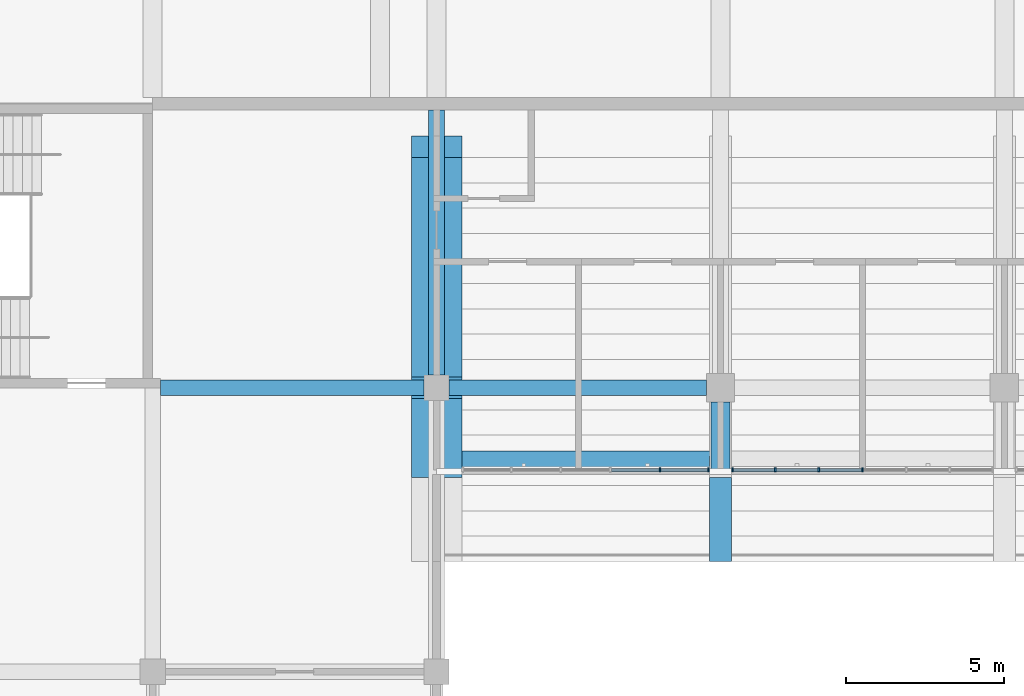
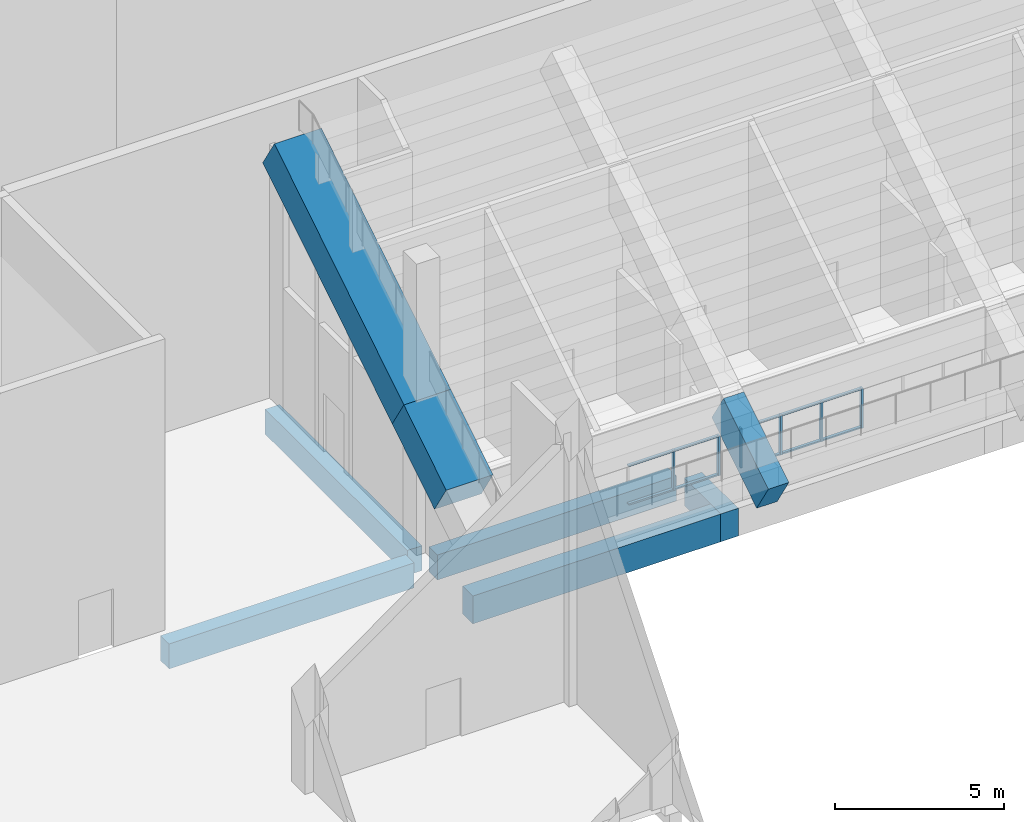
# One storey, part 35 of 182: 16 members, 8 beams, 2 elements without a shape of their own.
"""IFC4 building model written with IfcOpenShell, lengths in metres."""

from ifc_helpers import new_model, si_unit, direction, frame, origin, origin_2d, place, context, subcontext, project, spatial, rectangle, extrude, material, material_profile, profile_set, type_object, element, aggregate, save


model = new_model("IFC4")

# Units and contexts
model_context = context("Model", 3, precision=1e-05, world=origin(), true_north=direction((0.0, 1.0)))
body_context = subcontext(model_context, "Body", "Model", "MODEL_VIEW")
ifc_project = project(units=[si_unit("LENGTHUNIT", "METRE"), si_unit("AREAUNIT", "SQUARE_METRE"), si_unit("VOLUMEUNIT", "CUBIC_METRE"), si_unit("PLANEANGLEUNIT", "RADIAN"), si_unit("MASSUNIT", "GRAM", prefix="KILO")], contexts=[model_context])

# Site, building, storey
site_placement = place(None, origin())
site = spatial("IfcSite", under=ifc_project, at=site_placement, CompositionType="ELEMENT")
building_placement = place(site_placement, origin())
building = spatial("IfcBuilding", under=site, at=building_placement, Name="Silverbay Arena", CompositionType="ELEMENT")
storey_placement = place(building_placement, frame((0.0, 0.0, 11.5)))
storey = spatial("IfcBuildingStorey", under=building, at=storey_placement, Name="L02", CompositionType="ELEMENT", Elevation=11.5)

# Curtain wall, members
ifc_material_1 = material(Name="Fire-resisting glass", Category="glass")
curtain_wall_type_1 = type_object("IfcCurtainWallType", Name="Fire-resisting glazed screen EI 120 7850 x 1437", PredefinedType="NOTDEFINED", material=ifc_material_1)
curtain_wall_1_placement = place(storey_placement, origin())
curtain_wall_1 = element("IfcCurtainWall", 1, at=curtain_wall_1_placement, inside=storey, type_object=curtain_wall_type_1, Name="North suite front 1", PredefinedType="NOTDEFINED")
ifc_material_2 = material(Name="Aluminium", Category="aluminium")
ifc_material_profile_1 = material_profile(ifc_material_2, rectangle(XDim=0.1201171875, YDim=0.06005859375, at=origin_2d()), Name="Mullion 60 x 120")
ifc_profile_set_1 = profile_set([ifc_material_profile_1], Name="Aluminium")
member_type_1 = type_object("IfcMemberType", Name="Mullion 60 x 120", PredefinedType="MULLION", material=ifc_profile_set_1)
member_1_placement = place(storey_placement, frame((106.080078125, 114.39990234375, 1.10009765625), z_axis=(0.0, 0.0, 1.0), x_axis=(0.0, 1.0, 0.0)))
member_1 = element("IfcMember", 2, at=member_1_placement, type_object=member_type_1, Name="CW17 mullion 5", PredefinedType="MULLION", context=body_context, shape_type="SweptSolid", body=[
    extrude(rectangle(XDim=0.1201171875, YDim=0.06005859375, at=origin_2d()), origin(), (0.0, 0.0, 1.0), 1.43701171875),
])
member_2_placement = place(storey_placement, frame((107.6201171875, 114.39990234375, 1.10009765625), z_axis=(0.0, 0.0, 1.0), x_axis=(0.0, 1.0, 0.0)))
member_2 = element("IfcMember", 3, at=member_2_placement, type_object=member_type_1, Name="CW17 mullion 6", PredefinedType="MULLION", context=body_context, shape_type="SweptSolid", body=[
    extrude(rectangle(XDim=0.1201171875, YDim=0.06005859375, at=origin_2d()), origin(), (0.0, 0.0, 1.0), 1.43701171875),
])

ifc_material_3 = material(Name="Fire-resisting glass", Category="glass")
curtain_wall_type_2 = type_object("IfcCurtainWallType", Name="Fire-resisting glazed screen EI 120 8300 x 1437", PredefinedType="NOTDEFINED", material=ifc_material_3)
curtain_wall_2_placement = place(storey_placement, origin())
curtain_wall_2 = element("IfcCurtainWall", 4, at=curtain_wall_2_placement, inside=storey, type_object=curtain_wall_type_2, Name="North suite front 2", PredefinedType="NOTDEFINED")
member_3_placement = place(storey_placement, frame((108.3798828125, 114.39990234375, 1.10009765625), z_axis=(0.0, 0.0, 1.0), x_axis=(0.0, 1.0, 0.0)))
member_3 = element("IfcMember", 5, at=member_3_placement, type_object=member_type_1, Name="CW18 mullion 1", PredefinedType="MULLION", context=body_context, shape_type="SweptSolid", body=[
    extrude(rectangle(XDim=0.1201171875, YDim=0.06005859375, at=origin_2d()), origin(), (0.0, 0.0, 1.0), 1.43701171875),
])
member_4_placement = place(storey_placement, frame((109.7333984375, 114.39990234375, 1.10009765625), z_axis=(0.0, 0.0, 1.0), x_axis=(0.0, 1.0, 0.0)))
member_4 = element("IfcMember", 6, at=member_4_placement, type_object=member_type_1, Name="CW18 mullion 2", PredefinedType="MULLION", context=body_context, shape_type="SweptSolid", body=[
    extrude(rectangle(XDim=0.1201171875, YDim=0.06005859375, at=origin_2d()), origin(), (0.0, 0.0, 1.0), 1.43701171875),
])
member_5_placement = place(storey_placement, frame((111.11669921875, 114.39990234375, 1.10009765625), z_axis=(0.0, 0.0, 1.0), x_axis=(0.0, 1.0, 0.0)))
member_5 = element("IfcMember", 7, at=member_5_placement, type_object=member_type_1, Name="CW18 mullion 3", PredefinedType="MULLION", context=body_context, shape_type="SweptSolid", body=[
    extrude(rectangle(XDim=0.1201171875, YDim=0.06005859375, at=origin_2d()), origin(), (0.0, 0.0, 1.0), 1.43701171875),
])
member_6_placement = place(storey_placement, frame((112.5, 114.39990234375, 1.10009765625), z_axis=(0.0, 0.0, 1.0), x_axis=(0.0, 1.0, 0.0)))
member_6 = element("IfcMember", 8, at=member_6_placement, type_object=member_type_1, Name="CW18 mullion 4", PredefinedType="MULLION", context=body_context, shape_type="SweptSolid", body=[
    extrude(rectangle(XDim=0.1201171875, YDim=0.06005859375, at=origin_2d()), origin(), (0.0, 0.0, 1.0), 1.43701171875),
])

# Beams
ifc_material_4 = material(Name="Concrete Grade C45", Category="concrete")
ifc_material_profile_2 = material_profile(ifc_material_4, rectangle(XDim=0.5, YDim=0.89990234375, at=origin_2d()), Name="RC 500x900")
ifc_profile_set_2 = profile_set([ifc_material_profile_2], Name="Concrete Grade C45")
beam_type_1 = type_object("IfcBeamType", Name="RC beam 500x900", PredefinedType="BEAM", material=ifc_profile_set_2)
beam_1_placement = place(storey_placement, frame((90.25, 117.0, -0.800048828125), z_axis=(1.0, 0.0, 0.0), x_axis=(0.0, 1.0, 0.0)))
element("IfcBeam", 9, at=beam_1_placement, inside=storey, type_object=beam_type_1, Name="Floor beam L02 141", PredefinedType="BEAM", context=body_context, shape_type="SweptSolid", body=[
    extrude(rectangle(XDim=0.5, YDim=0.89990234375, at=origin_2d()), origin(), (0.0, 0.0, 1.0), 8.35009765625),
])
beam_2_placement = place(storey_placement, frame((99.39990234375, 117.0, -0.800048828125), z_axis=(1.0, 0.0, 0.0), x_axis=(0.0, 1.0, 0.0)))
element("IfcBeam", 10, at=beam_2_placement, inside=storey, type_object=beam_type_1, Name="Floor beam L02 142", PredefinedType="BEAM", context=body_context, shape_type="SweptSolid", body=[
    extrude(rectangle(XDim=0.5, YDim=0.89990234375, at=origin_2d()), origin(), (0.0, 0.0, 1.0), 8.150146484375),
])
beam_3_placement = place(storey_placement, frame((99.0, 117.39990234375, -0.800048828125), z_axis=(0.0, 1.0, 0.0), x_axis=(-1.0, 0.0, 0.0)))
element("IfcBeam", 11, at=beam_3_placement, inside=storey, type_object=beam_type_1, Name="Floor beam L02 251", PredefinedType="BEAM", context=body_context, shape_type="SweptSolid", body=[
    extrude(rectangle(XDim=0.5, YDim=0.89990234375, at=origin_2d()), origin(), (0.0, 0.0, 1.0), 8.400146484375),
])
ifc_material_5 = material(Name="Concrete Grade C45", Category="concrete")
ifc_material_profile_3 = material_profile(ifc_material_5, rectangle(XDim=0.60009765625, YDim=1.0, at=origin_2d()), Name="RC 600x1000")
ifc_profile_set_3 = profile_set([ifc_material_profile_3], Name="Concrete Grade C45")
beam_type_2 = type_object("IfcBeamType", Name="RC beam 600x1000", PredefinedType="BEAM", material=ifc_profile_set_3)
beam_4_placement = place(storey_placement, frame((108.0, 114.39990234375, -0.85009765625), z_axis=(0.0, 1.0, 0.0), x_axis=(-1.0, 0.0, 0.0)))
element("IfcBeam", 12, at=beam_4_placement, inside=storey, type_object=beam_type_2, Name="Floor beam L02 256", PredefinedType="BEAM", context=body_context, shape_type="SweptSolid", body=[
    extrude(rectangle(XDim=0.60009765625, YDim=1.0, at=origin_2d()), origin(), (0.0, 0.0, 1.0), 2.150146484375),
])
beam_5_placement = place(storey_placement, frame((99.25, 114.699951171875, -0.85009765625), z_axis=(1.0, 0.0, 0.0), x_axis=(0.0, 1.0, 0.0)))
element("IfcBeam", 13, at=beam_5_placement, inside=storey, type_object=beam_type_2, Name="Floor beam L02 372", PredefinedType="BEAM", context=body_context, shape_type="SweptSolid", body=[
    extrude(rectangle(XDim=0.60009765625, YDim=1.0, at=origin_2d()), origin(), (0.0, 0.0, 1.0), 8.449951171875),
])
ifc_material_6 = material(Name="Concrete Grade C45", Category="concrete")
ifc_material_profile_4 = material_profile(ifc_material_6, rectangle(XDim=1.60009765625, YDim=1.300048828125, at=origin_2d()), Name="RC 1600x1300")
ifc_profile_set_4 = profile_set([ifc_material_profile_4], Name="Concrete Grade C45")
beam_type_3 = type_object("IfcBeamType", Name="RC cantilever raker 1600x1300", PredefinedType="BEAM", material=ifc_profile_set_4)
beam_6_placement = place(storey_placement, frame((99.0, 114.5, 3.428466796875), z_axis=(0.0, 0.847998304005, 0.529998940003), x_axis=(-1.0, 0.0, 0.0)))
element("IfcBeam", 14, at=beam_6_placement, inside=storey, type_object=beam_type_3, Name="Raker North upper 99 mid", PredefinedType="BEAM", context=body_context, shape_type="SweptSolid", body=[
    extrude(rectangle(XDim=1.60009765625, YDim=1.300048828125, at=origin_2d()), origin(), (0.0, 0.0, 1.0), 2.947998046875),
])
ifc_material_7 = material(Name="Concrete Grade C45", Category="concrete")
ifc_material_profile_5 = material_profile(ifc_material_7, rectangle(XDim=0.699951171875, YDim=1.300048828125, at=origin_2d()), Name="RC 700x1300")
ifc_profile_set_5 = profile_set([ifc_material_profile_5], Name="Concrete Grade C45")
beam_type_4 = type_object("IfcBeamType", Name="RC cantilever raker 700x1300", PredefinedType="BEAM", material=ifc_profile_set_5)
beam_7_placement = place(storey_placement, frame((108.0, 111.844482421875, 1.768798828125), z_axis=(0.0, 0.848002683915, 0.529991932082), x_axis=(-1.0, 0.0, 0.0)))
element("IfcBeam", 15, at=beam_7_placement, inside=storey, type_object=beam_type_4, Name="Raker North upper 108 tip", PredefinedType="BEAM", context=body_context, shape_type="SweptSolid", body=[
    extrude(rectangle(XDim=0.699951171875, YDim=1.300048828125, at=origin_2d()), origin(), (0.0, 0.0, 1.0), 3.131591796875),
])
ifc_material_8 = material(Name="Concrete Grade C45", Category="concrete")
ifc_material_profile_6 = material_profile(ifc_material_8, rectangle(XDim=1.60009765625, YDim=1.300048828125, at=origin_2d()), Name="RC 1600x1300")
ifc_profile_set_6 = profile_set([ifc_material_profile_6], Name="Concrete Grade C45")
beam_type_5 = type_object("IfcBeamType", Name="RC tier raker 1600x1300", PredefinedType="BEAM", material=ifc_profile_set_6)
beam_8_placement = place(storey_placement, frame((99.0, 117.0, 4.990966796875), z_axis=(0.0, 0.847998304005, 0.529998940003), x_axis=(-1.0, 0.0, 0.0)))
element("IfcBeam", 16, at=beam_8_placement, inside=storey, type_object=beam_type_5, Name="Raker North upper 99 back", PredefinedType="BEAM", context=body_context, shape_type="SweptSolid", body=[
    extrude(rectangle(XDim=1.60009765625, YDim=1.300048828125, at=origin_2d()), origin(), (0.0, 0.0, 1.0), 9.014892578125),
])

# Member
ifc_material_9 = material(Name="Aluminium", Category="aluminium")
ifc_material_profile_7 = material_profile(ifc_material_9, rectangle(XDim=0.10009765625, YDim=0.050048828125, at=origin_2d()), Name="Transom 50 x 100")
ifc_profile_set_7 = profile_set([ifc_material_profile_7], Name="Aluminium")
member_type_2 = type_object("IfcMemberType", Name="Transom 50 x 100", PredefinedType="USERDEFINED", material=ifc_profile_set_7)
member_7_placement = place(storey_placement, frame((104.5400390625, 114.39990234375, 1.125), z_axis=(1.0, 0.0, 0.0), x_axis=(0.0, 1.0, 0.0)))
member_7 = element("IfcMember", 17, at=member_7_placement, type_object=member_type_2, Name="CW17 transom 4.1", ObjectType="TRANSOM", PredefinedType="USERDEFINED", context=body_context, shape_type="SweptSolid", body=[
    extrude(rectangle(XDim=0.10009765625, YDim=0.050048828125, at=origin_2d()), origin(), (0.0, 0.0, 1.0), 1.510009765625),
])

member_8_placement = place(storey_placement, frame((104.5400390625, 114.39990234375, 2.511962890625), z_axis=(1.0, 0.0, 0.0), x_axis=(0.0, 1.0, 0.0)))
member_8 = element("IfcMember", 18, at=member_8_placement, type_object=member_type_2, Name="CW17 transom 4.2", ObjectType="TRANSOM", PredefinedType="USERDEFINED", context=body_context, shape_type="SweptSolid", body=[
    extrude(rectangle(XDim=0.10009765625, YDim=0.050048828125, at=origin_2d()), origin(), (0.0, 0.0, 1.0), 1.510009765625),
])

member_9_placement = place(storey_placement, frame((106.110107421875, 114.39990234375, 1.125), z_axis=(1.0, 0.0, 0.0), x_axis=(0.0, 1.0, 0.0)))
member_9 = element("IfcMember", 19, at=member_9_placement, type_object=member_type_2, Name="CW17 transom 5.1", ObjectType="TRANSOM", PredefinedType="USERDEFINED", context=body_context, shape_type="SweptSolid", body=[
    extrude(rectangle(XDim=0.10009765625, YDim=0.050048828125, at=origin_2d()), origin(), (0.0, 0.0, 1.0), 1.47998046875),
])

member_10_placement = place(storey_placement, frame((106.110107421875, 114.39990234375, 2.511962890625), z_axis=(1.0, 0.0, 0.0), x_axis=(0.0, 1.0, 0.0)))
member_10 = element("IfcMember", 20, at=member_10_placement, type_object=member_type_2, Name="CW17 transom 5.2", ObjectType="TRANSOM", PredefinedType="USERDEFINED", context=body_context, shape_type="SweptSolid", body=[
    extrude(rectangle(XDim=0.10009765625, YDim=0.050048828125, at=origin_2d()), origin(), (0.0, 0.0, 1.0), 1.47998046875),
])

aggregate(curtain_wall_1, [member_1, member_2, member_7, member_8, member_9, member_10])

member_11_placement = place(storey_placement, frame((108.409912109375, 114.39990234375, 1.125), z_axis=(1.0, 0.0, 0.0), x_axis=(0.0, 1.0, 0.0)))
member_11 = element("IfcMember", 21, at=member_11_placement, type_object=member_type_2, Name="CW18 transom 1.1", ObjectType="TRANSOM", PredefinedType="USERDEFINED", context=body_context, shape_type="SweptSolid", body=[
    extrude(rectangle(XDim=0.10009765625, YDim=0.050048828125, at=origin_2d()), origin(), (0.0, 0.0, 1.0), 1.29345703125),
])

member_12_placement = place(storey_placement, frame((108.409912109375, 114.39990234375, 2.511962890625), z_axis=(1.0, 0.0, 0.0), x_axis=(0.0, 1.0, 0.0)))
member_12 = element("IfcMember", 22, at=member_12_placement, type_object=member_type_2, Name="CW18 transom 1.2", ObjectType="TRANSOM", PredefinedType="USERDEFINED", context=body_context, shape_type="SweptSolid", body=[
    extrude(rectangle(XDim=0.10009765625, YDim=0.050048828125, at=origin_2d()), origin(), (0.0, 0.0, 1.0), 1.29345703125),
])

member_13_placement = place(storey_placement, frame((109.763427734375, 114.39990234375, 1.125), z_axis=(1.0, 0.0, 0.0), x_axis=(0.0, 1.0, 0.0)))
member_13 = element("IfcMember", 23, at=member_13_placement, type_object=member_type_2, Name="CW18 transom 2.1", ObjectType="TRANSOM", PredefinedType="USERDEFINED", context=body_context, shape_type="SweptSolid", body=[
    extrude(rectangle(XDim=0.10009765625, YDim=0.050048828125, at=origin_2d()), origin(), (0.0, 0.0, 1.0), 1.3232421875),
])

member_14_placement = place(storey_placement, frame((109.763427734375, 114.39990234375, 2.511962890625), z_axis=(1.0, 0.0, 0.0), x_axis=(0.0, 1.0, 0.0)))
member_14 = element("IfcMember", 24, at=member_14_placement, type_object=member_type_2, Name="CW18 transom 2.2", ObjectType="TRANSOM", PredefinedType="USERDEFINED", context=body_context, shape_type="SweptSolid", body=[
    extrude(rectangle(XDim=0.10009765625, YDim=0.050048828125, at=origin_2d()), origin(), (0.0, 0.0, 1.0), 1.3232421875),
])

member_15_placement = place(storey_placement, frame((111.146728515625, 114.39990234375, 1.125), z_axis=(1.0, 0.0, 0.0), x_axis=(0.0, 1.0, 0.0)))
member_15 = element("IfcMember", 25, at=member_15_placement, type_object=member_type_2, Name="CW18 transom 3.1", ObjectType="TRANSOM", PredefinedType="USERDEFINED", context=body_context, shape_type="SweptSolid", body=[
    extrude(rectangle(XDim=0.10009765625, YDim=0.050048828125, at=origin_2d()), origin(), (0.0, 0.0, 1.0), 1.3232421875),
])

member_16_placement = place(storey_placement, frame((111.146728515625, 114.39990234375, 2.511962890625), z_axis=(1.0, 0.0, 0.0), x_axis=(0.0, 1.0, 0.0)))
member_16 = element("IfcMember", 26, at=member_16_placement, type_object=member_type_2, Name="CW18 transom 3.2", ObjectType="TRANSOM", PredefinedType="USERDEFINED", context=body_context, shape_type="SweptSolid", body=[
    extrude(rectangle(XDim=0.10009765625, YDim=0.050048828125, at=origin_2d()), origin(), (0.0, 0.0, 1.0), 1.3232421875),
])

aggregate(curtain_wall_2, [member_3, member_4, member_5, member_6, member_11, member_12, member_13, member_14, member_15, member_16])

save(model, "model.ifc")
